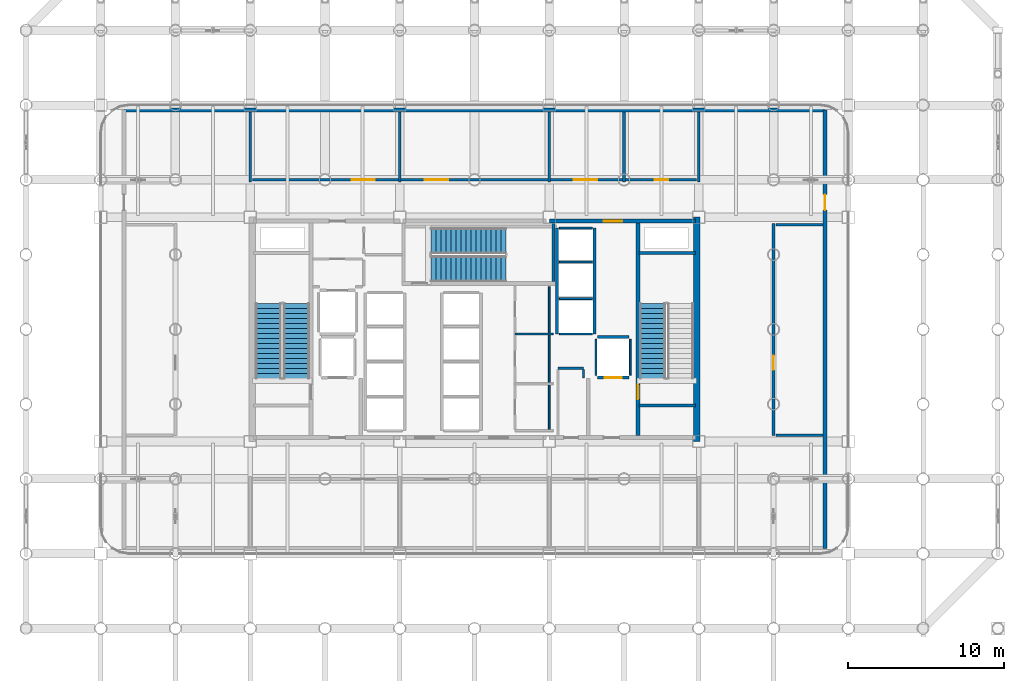
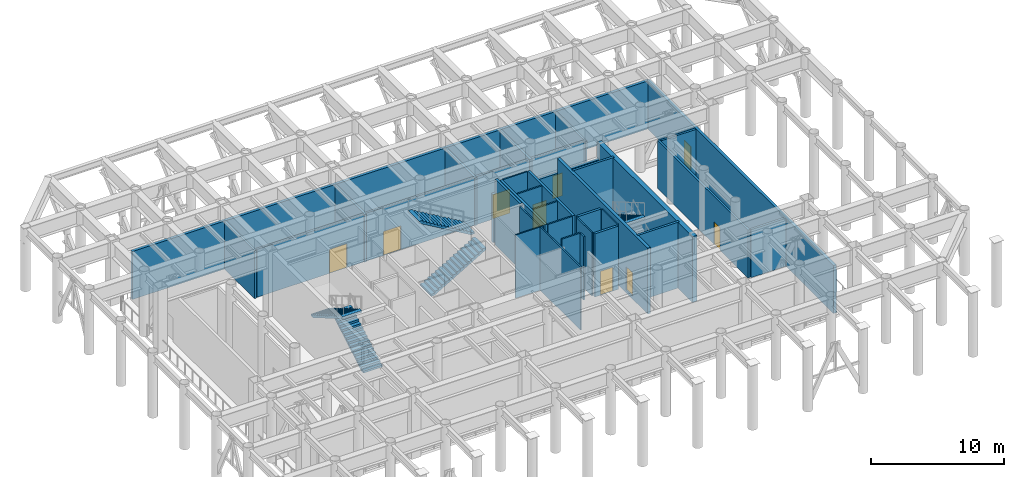
# One storey, part 14 of 19: 31 walls, 9 doors, 5 stair flights, 9 openings, 3 elements without a shape of their own.
"""IFC4 building model written with IfcOpenShell, lengths in metres."""

from ifc_helpers import new_model, si_unit, direction, frame, frame_2d, origin, place, context, subcontext, project, spatial, polyline, rectangle, outline, extrude, material, layer, layer_set, type_object, element, fill, aggregate, save


model = new_model("IFC4")

# Units and contexts
model_context = context("Model", 3, precision=1e-05, world=origin(), true_north=direction((0.0, 1.0)))
body_context = subcontext(model_context, "Body", "Model", "MODEL_VIEW")
ifc_project = project(units=[si_unit("LENGTHUNIT", "METRE"), si_unit("AREAUNIT", "SQUARE_METRE"), si_unit("VOLUMEUNIT", "CUBIC_METRE"), si_unit("PLANEANGLEUNIT", "RADIAN"), si_unit("MASSUNIT", "GRAM", prefix="KILO")], contexts=[model_context])

# Site, building, storey
site_placement = place(None, origin())
site = spatial("IfcSite", under=ifc_project, at=site_placement, CompositionType="ELEMENT")
building_placement = place(site_placement, origin())
building = spatial("IfcBuilding", under=site, at=building_placement, Name="Kallvorn Hotel Tower", CompositionType="ELEMENT")
storey_placement = place(building_placement, frame((0.0, 0.0, 89.199951171875)))
storey = spatial("IfcBuildingStorey", under=building, at=storey_placement, Name="L21", CompositionType="ELEMENT", Elevation=89.199951171875)

# Walls
ifc_material_1 = material(Name="Concrete C50/60", Category="concrete")
ifc_layer_1 = layer(ifc_material_1, 0.39990234375)
ifc_layer_set_1 = layer_set([ifc_layer_1], Name="WL_CORE_400")
wall_type_1 = type_object("IfcWallType", Name="WL_CORE_400", PredefinedType="SHEAR", material=ifc_layer_set_1)
wall_1_placement = place(storey_placement, frame((14.264892578125, -7.199951171875, -0.25), z_axis=(0.0, 0.0, 1.0), x_axis=(0.0, 1.0, 0.0)))
element("IfcWall", 1, at=wall_1_placement, inside=storey, type_object=wall_type_1, Name="L21 Core East Shear Wall", PredefinedType="SHEAR", context=body_context, shape_type="SweptSolid", body=[
    extrude(rectangle(XDim=14.39990234375, YDim=0.39990234375, at=frame_2d((7.199951171875, 0.0))), origin(), (0.0, 0.0, 1.0), 6.070068359375),
])
ifc_material_2 = material(Name="Fire-rated double-layer acoustic gypsum drywall EI 60")
ifc_layer_2 = layer(ifc_material_2, 0.179931640625)
ifc_layer_set_2 = layer_set([ifc_layer_2], Name="WL_CORR_180")
wall_type_2 = type_object("IfcWallType", Name="WL_CORR_180", PredefinedType="PARTITIONING", material=ifc_layer_set_2)
for number, where, z_axis, x_axis, name in (
    (2, (19.35009765625, -6.800048828125, 0.0), (0.0, 0.0, 1.0), (1.0, 0.0, 0.0), "L21 L21 Pressurised Fire Refuge Area East Partition"),
    (3, (19.35009765625, 6.716796875, 0.0), (0.0, 0.0, 1.0), (1.0, 0.0, 0.0), "L21 L21 Pressurised Fire Refuge Area East Partition"),
):
    element("IfcWall", number, at=place(storey_placement, frame(where, z_axis=z_axis, x_axis=x_axis)), inside=storey, type_object=wall_type_2, Name=name, PredefinedType="PARTITIONING", context=body_context, shape_type="SweptSolid", body=[
        extrude(rectangle(XDim=3.014892578125, YDim=0.179931640625, at=frame_2d((1.50732421875, 0.0))), origin(), (0.0, 0.0, 1.0), 4.420166015625),
    ])

# Wall, openings, doors
wall_2_placement = place(storey_placement, frame((-14.25, 9.60009765625, 0.0), z_axis=(0.0, 0.0, 1.0), x_axis=(1.0, 0.0, 0.0)))
wall_2 = element("IfcWall", 4, at=wall_2_placement, inside=storey, type_object=wall_type_2, Name="L21 L21 Domestic and Fire Break-Tank Pump Room Partition", PredefinedType="PARTITIONING", context=body_context, shape_type="SweptSolid", body=[
    extrude(rectangle(XDim=28.5, YDim=0.179931640625, at=frame_2d((14.25, 0.0))), origin(), (0.0, 0.0, 1.0), 4.420166015625),
])
opening_1_placement = place(wall_2_placement, frame((6.35400390625, 0.0, 0.0)))
opening_1 = element("IfcOpeningElement", 5, at=opening_1_placement, cuts=wall_2, Name="Opening PD1", PredefinedType="OPENING", context=body_context, shape_type="SweptSolid", body=[
    extrude(rectangle(XDim=1.5, YDim=2.199951171875, at=frame_2d((0.75, 1.10009765625))), frame((0.0, 0.104736328125, 0.0), z_axis=(0.0, -1.0, 0.0), x_axis=(1.0, 0.0, 0.0)), (0.0, 0.0, 1.0), 0.2099609375),
])
opening_2_placement = place(wall_2_placement, frame((11.056396484375, 0.0, 0.0)))
opening_2 = element("IfcOpeningElement", 6, at=opening_2_placement, cuts=wall_2, Name="Opening PD1", PredefinedType="OPENING", context=body_context, shape_type="SweptSolid", body=[
    extrude(rectangle(XDim=1.5, YDim=2.199951171875, at=frame_2d((0.75, 1.10009765625))), frame((0.0, 0.104736328125, 0.0), z_axis=(0.0, -1.0, 0.0), x_axis=(1.0, 0.0, 0.0)), (0.0, 0.0, 1.0), 0.2099609375),
])
opening_3_placement = place(wall_2_placement, frame((20.6181640625, 0.0, 0.0)))
opening_3 = element("IfcOpeningElement", 7, at=opening_3_placement, cuts=wall_2, Name="Opening PD1", PredefinedType="OPENING", context=body_context, shape_type="SweptSolid", body=[
    extrude(rectangle(XDim=1.5, YDim=2.199951171875, at=frame_2d((0.75, 1.10009765625))), frame((0.0, 0.104736328125, 0.0), z_axis=(0.0, -1.0, 0.0), x_axis=(1.0, 0.0, 0.0)), (0.0, 0.0, 1.0), 0.2099609375),
])
opening_4_placement = place(wall_2_placement, frame((25.820068359375, 0.0, 0.0)))
opening_4 = element("IfcOpeningElement", 8, at=opening_4_placement, cuts=wall_2, Name="Opening BD-I", PredefinedType="OPENING", context=body_context, shape_type="SweptSolid", body=[
    extrude(rectangle(XDim=0.860107421875, YDim=2.10009765625, at=frame_2d((0.43017578125, 1.050048828125))), frame((0.0, 0.104736328125, 0.0), z_axis=(0.0, -1.0, 0.0), x_axis=(1.0, 0.0, 0.0)), (0.0, 0.0, 1.0), 0.2099609375),
])
ifc_material_3 = material(Name="Solid-core walnut veneer fire-rated timber door leaf", Category="wood")
door_type_1 = type_object("IfcDoorType", Name="DR_BATH_860x2100", OperationType="NOTDEFINED", PredefinedType="DOOR", material=ifc_material_3)
door_1_placement = place(opening_4_placement, origin())
door_1 = element("IfcDoor", 9, at=door_1_placement, inside=storey, type_object=door_type_1, Name="L21 L21 Refuge Accessible WC Door", OperationType="SINGLE_SWING_RIGHT", OverallHeight=2.10009765625, OverallWidth=0.860107421875, PredefinedType="DOOR", context=body_context, shape_type="SweptSolid", body=[
    extrude(rectangle(XDim=0.860107421875, YDim=2.10009765625, at=frame_2d((0.43017578125, 1.050048828125))), frame((0.0, 0.02490234375, 0.0), z_axis=(0.0, -1.0, 0.0), x_axis=(1.0, 0.0, 0.0)), (0.0, 0.0, 1.0), 0.050048828125),
])
fill(opening_4, door_1)
ifc_material_4 = material(Name="Galvanised painted steel fire-rated door assembly", Category="steel")
door_type_2 = type_object("IfcDoorType", Name="DR_PLANT_1500x2200", OperationType="DOUBLE_DOOR_SINGLE_SWING", PredefinedType="DOOR", material=ifc_material_4)
door_2_placement = place(opening_1_placement, origin())
door_2 = element("IfcDoor", 10, at=door_2_placement, inside=storey, type_object=door_type_2, Name="L21 L21 Domestic and Fire Break-Tank Pump Room Door", OperationType="DOUBLE_DOOR_SINGLE_SWING", OverallHeight=2.199951171875, OverallWidth=1.5, PredefinedType="DOOR", context=body_context, shape_type="SweptSolid", body=[
    extrude(rectangle(XDim=1.5, YDim=2.199951171875, at=frame_2d((0.75, 1.10009765625))), frame((0.0, 0.02490234375, 0.0), z_axis=(0.0, -1.0, 0.0), x_axis=(1.0, 0.0, 0.0)), (0.0, 0.0, 1.0), 0.050048828125),
])
fill(opening_1, door_2)
door_3_placement = place(opening_2_placement, origin())
door_3 = element("IfcDoor", 11, at=door_3_placement, inside=storey, type_object=door_type_2, Name="L21 L21 Venturi Turbine Inverter and Switchgear Room Door", OperationType="DOUBLE_DOOR_SINGLE_SWING", OverallHeight=2.199951171875, OverallWidth=1.5, PredefinedType="DOOR", context=body_context, shape_type="SweptSolid", body=[
    extrude(rectangle(XDim=1.5, YDim=2.199951171875, at=frame_2d((0.75, 1.10009765625))), frame((0.0, 0.02490234375, 0.0), z_axis=(0.0, -1.0, 0.0), x_axis=(1.0, 0.0, 0.0)), (0.0, 0.0, 1.0), 0.050048828125),
])
fill(opening_2, door_3)
door_4_placement = place(opening_3_placement, origin())
door_4 = element("IfcDoor", 12, at=door_4_placement, inside=storey, type_object=door_type_2, Name="L21 L21 Smoke Control and BMS Plant Room Door", OperationType="DOUBLE_DOOR_SINGLE_SWING", OverallHeight=2.199951171875, OverallWidth=1.5, PredefinedType="DOOR", context=body_context, shape_type="SweptSolid", body=[
    extrude(rectangle(XDim=1.5, YDim=2.199951171875, at=frame_2d((0.75, 1.10009765625))), frame((0.0, 0.02490234375, 0.0), z_axis=(0.0, -1.0, 0.0), x_axis=(1.0, 0.0, 0.0)), (0.0, 0.0, 1.0), 0.050048828125),
])
fill(opening_3, door_4)

# Walls
for number, where, z_axis, x_axis, name in (
    (13, (-14.39990234375, 9.449951171875, 0.0), (0.0, 0.0, 1.0), (0.0, 1.0, 0.0), "L21 L21 Domestic and Fire Break-Tank Pump Room Partition"),
    (14, (-4.800048828125, 9.449951171875, 0.0), (0.0, 0.0, 1.0), (0.0, 1.0, 0.0), "L21 L21 Domestic and Fire Break-Tank Pump Room Partition"),
    (15, (4.800048828125, 9.449951171875, 0.0), (0.0, 0.0, 1.0), (0.0, 1.0, 0.0), "L21 L21 Smoke Control and BMS Plant Room Partition"),
    (16, (9.60009765625, 9.449951171875, 0.0), (0.0, 0.0, 1.0), (0.0, 1.0, 0.0), "L21 L21 Smoke Control and BMS Plant Room Partition"),
):
    element("IfcWall", number, at=place(storey_placement, frame(where, z_axis=z_axis, x_axis=x_axis)), inside=storey, type_object=wall_type_2, Name=name, PredefinedType="PARTITIONING", context=body_context, shape_type="SweptSolid", body=[
        extrude(rectangle(XDim=4.4951171875, YDim=0.179931640625, at=frame_2d((2.24755859375, 0.0))), origin(), (0.0, 0.0, 1.0), 4.420166015625),
    ])

# Wall, opening, door
wall_3_placement = place(storey_placement, frame((19.199951171875, -6.800048828125, 0.0), z_axis=(0.0, 0.0, 1.0), x_axis=(0.0, 1.0, 0.0)))
wall_3 = element("IfcWall", 17, at=wall_3_placement, inside=storey, type_object=wall_type_2, Name="L21 L21 Pressurised Fire Refuge Area East Partition", PredefinedType="PARTITIONING", context=body_context, shape_type="SweptSolid", body=[
    extrude(rectangle(XDim=13.60009765625, YDim=0.179931640625, at=frame_2d((6.800048828125, 0.0))), origin(), (0.0, 0.0, 1.0), 4.420166015625),
])
opening_5_placement = place(wall_3_placement, frame((4.20703125, 0.0, 0.0)))
opening_5 = element("IfcOpeningElement", 18, at=opening_5_placement, cuts=wall_3, Name="Opening SVD1", PredefinedType="OPENING", context=body_context, shape_type="SweptSolid", body=[
    extrude(rectangle(XDim=0.89990234375, YDim=2.10009765625, at=frame_2d((0.449951171875, 1.050048828125))), frame((0.0, 0.104736328125, 0.0), z_axis=(0.0, -1.0, 0.0), x_axis=(1.0, 0.0, 0.0)), (0.0, 0.0, 1.0), 0.2099609375),
])
ifc_material_5 = material(Name="Galvanised painted steel fire-rated door assembly", Category="steel")
door_type_3 = type_object("IfcDoorType", Name="DR_SERV_900x2100", OperationType="NOTDEFINED", PredefinedType="DOOR", material=ifc_material_5)
door_5_placement = place(opening_5_placement, origin())
door_5 = element("IfcDoor", 19, at=door_5_placement, inside=storey, type_object=door_type_3, Name="L21 L21 Pressurised Fire Refuge Area East Door", OperationType="SINGLE_SWING_RIGHT", OverallHeight=2.10009765625, OverallWidth=0.89990234375, PredefinedType="DOOR", context=body_context, shape_type="SweptSolid", body=[
    extrude(rectangle(XDim=0.89990234375, YDim=2.10009765625, at=frame_2d((0.449951171875, 1.050048828125))), frame((0.0, 0.02490234375, 0.0), z_axis=(0.0, -1.0, 0.0), x_axis=(1.0, 0.0, 0.0)), (0.0, 0.0, 1.0), 0.050048828125),
])
fill(opening_5, door_5)

# Wall
ifc_material_6 = material(Name="Precast basalt-clad insulated concrete wall C40/50", Category="masonry")
ifc_layer_3 = layer(ifc_material_6, 0.25)
ifc_layer_set_3 = layer_set([ifc_layer_3], Name="WL_EXT_HUB_250")
wall_type_3 = type_object("IfcWallType", Name="WL_EXT_HUB_250", PredefinedType="SOLIDWALL", material=ifc_layer_set_3)
wall_4_placement = place(storey_placement, frame((-22.5, 14.080078125, 0.0), z_axis=(0.0, 0.0, 1.0), x_axis=(1.0, 0.0, 0.0)))
element("IfcWall", 20, at=wall_4_placement, inside=storey, type_object=wall_type_3, Name="L21 Wind-Hub Acoustic Enclosure Wall N", PredefinedType="SOLIDWALL", context=body_context, shape_type="SweptSolid", body=[
    extrude(rectangle(XDim=45.0, YDim=0.25, at=frame_2d((22.5, 0.0))), origin(), (0.0, 0.0, 1.0), 4.420166015625),
])

# Wall, opening, door
wall_5_placement = place(storey_placement, frame((22.5, 14.080078125, 0.0), z_axis=(0.0, 0.0, 1.0), x_axis=(0.0, -1.0, 0.0)))
wall_5 = element("IfcWall", 21, at=wall_5_placement, inside=storey, type_object=wall_type_3, Name="L21 Wind-Hub Acoustic Enclosure Wall E", PredefinedType="SOLIDWALL", context=body_context, shape_type="SweptSolid", body=[
    extrude(rectangle(XDim=28.16015625, YDim=0.25, at=frame_2d((14.080078125, 0.0))), origin(), (0.0, 0.0, 1.0), 4.420166015625),
])
opening_6_placement = place(wall_5_placement, frame((5.429931640625, 0.0, 0.0)))
opening_6 = element("IfcOpeningElement", 22, at=opening_6_placement, cuts=wall_5, Name="Opening WDX1", PredefinedType="OPENING", context=body_context, shape_type="SweptSolid", body=[
    extrude(rectangle(XDim=1.0, YDim=2.14990234375, at=frame_2d((0.5, 1.074951171875))), frame((0.0, 0.139892578125, 0.0), z_axis=(0.0, -1.0, 0.0), x_axis=(1.0, 0.0, 0.0)), (0.0, 0.0, 1.0), 0.280029296875),
])
ifc_material_7 = material(Name="Galvanised painted steel S275JR balustrade", Category="steel")
door_type_4 = type_object("IfcDoorType", Name="DR_WIND_EXT_1000x2150", OperationType="NOTDEFINED", PredefinedType="DOOR", material=ifc_material_7)
door_6_placement = place(opening_6_placement, origin())
door_6 = element("IfcDoor", 23, at=door_6_placement, inside=storey, type_object=door_type_4, Name="L21 Turbine Deck Maintenance Access Door E", OperationType="SINGLE_SWING_LEFT", OverallHeight=2.14990234375, OverallWidth=1.0, PredefinedType="DOOR", context=body_context, shape_type="SweptSolid", body=[
    extrude(rectangle(XDim=1.0, YDim=2.14990234375, at=frame_2d((0.5, 1.074951171875))), frame((0.0, 0.02490234375, 0.0), z_axis=(0.0, -1.0, 0.0), x_axis=(1.0, 0.0, 0.0)), (0.0, 0.0, 1.0), 0.050048828125),
])
fill(opening_6, door_6)

# Walls
ifc_material_8 = material(Name="Concrete C40/50", Category="concrete")
ifc_layer_4 = layer(ifc_material_8, 0.199951171875)
ifc_layer_set_4 = layer_set([ifc_layer_4], Name="WL_HOIST_200")
wall_type_4 = type_object("IfcWallType", Name="WL_HOIST_200", PredefinedType="SOLIDWALL", material=ifc_layer_set_4)
for number, where, z_axis, x_axis, name in (
    (24, (10.550048828125, -4.89990234375, -0.25), (0.0, 0.0, 1.0), (1.0, 0.0, 0.0), "L21 Stair ST2 South Wall"),
    (25, (10.550048828125, 4.89990234375, -0.25), (0.0, 0.0, 1.0), (1.0, 0.0, 0.0), "L21 Stair ST2 North Wall"),
):
    element("IfcWall", number, at=place(storey_placement, frame(where, z_axis=z_axis, x_axis=x_axis)), inside=storey, type_object=wall_type_4, Name=name, PredefinedType="SOLIDWALL", context=body_context, shape_type="SweptSolid", body=[
        extrude(rectangle(XDim=3.64990234375, YDim=0.199951171875, at=frame_2d((1.824951171875, 0.0))), origin(), (0.0, 0.0, 1.0), 6.070068359375),
    ])
wall_6_placement = place(storey_placement, frame((5.06005859375, 3.080078125, -0.25), z_axis=(0.0, 0.0, 1.0), x_axis=(0.0, 1.0, 0.0)))
element("IfcWall", 26, at=wall_6_placement, inside=storey, type_object=wall_type_4, Name="L21 Stair ST3 East Wall", PredefinedType="SOLIDWALL", context=body_context, shape_type="SweptSolid", body=[
    extrude(rectangle(XDim=3.739990234375, YDim=0.199951171875, at=frame_2d((1.8701171875, 0.0))), origin(), (0.0, 0.0, 1.0), 6.070068359375),
])
for number, where, z_axis, x_axis, name in (
    (27, (7.699951171875, -0.300048828125, 0.0), (0.0, 0.0, 1.0), (0.0, 1.0, 0.0), "L21 Lift Bank OBS Landing Wall"),
    (28, (5.300048828125, -0.300048828125, 0.0), (0.0, 0.0, 1.0), (0.0, 1.0, 0.0), "L21 Lift Bank OBS Rear Shaft Wall"),
):
    element("IfcWall", number, at=place(storey_placement, frame(where, z_axis=z_axis, x_axis=x_axis)), inside=storey, type_object=wall_type_4, Name=name, PredefinedType="SOLIDWALL", context=body_context, shape_type="SweptSolid", body=[
        extrude(rectangle(XDim=6.800048828125, YDim=0.199951171875, at=frame_2d((3.39990234375, 0.0))), origin(), (0.0, 0.0, 1.0), 5.820068359375),
    ])

# Wall, opening, door
wall_7_placement = place(storey_placement, frame((7.8798828125, -3.10009765625, 0.0), z_axis=(0.0, 0.0, 1.0), x_axis=(1.0, 0.0, 0.0)))
wall_7 = element("IfcWall", 29, at=wall_7_placement, inside=storey, type_object=wall_type_4, Name="L21 FL-2 Landing Wall", PredefinedType="SOLIDWALL", context=body_context, shape_type="SweptSolid", body=[
    extrude(rectangle(XDim=2.0400390625, YDim=0.199951171875, at=frame_2d((1.02001953125, 0.0))), origin(), (0.0, 0.0, 1.0), 5.820068359375),
])
opening_7_placement = place(wall_7_placement, frame((0.469970703125, 0.0, 0.0)))
opening_7 = element("IfcOpeningElement", 30, at=opening_7_placement, cuts=wall_7, Name="Opening LD-FL-2", PredefinedType="OPENING", context=body_context, shape_type="SweptSolid", body=[
    extrude(rectangle(XDim=1.10009765625, YDim=2.199951171875, at=frame_2d((0.550048828125, 1.10009765625))), frame((0.0, 0.114990234375, 0.0), z_axis=(0.0, -1.0, 0.0), x_axis=(1.0, 0.0, 0.0)), (0.0, 0.0, 1.0), 0.22998046875),
])
ifc_material_9 = material(Name="Brushed stainless-steel automatic sliding lift landing door", Category="steel")
door_type_5 = type_object("IfcDoorType", Name="LD_PASS_1100x2200", OperationType="SLIDING_TO_LEFT", PredefinedType="DOOR", material=ifc_material_9)
door_7_placement = place(opening_7_placement, origin())
door_7 = element("IfcDoor", 31, at=door_7_placement, inside=storey, type_object=door_type_5, Name="L21 Lift Landing Sliding Door LD-FL-2", OperationType="SLIDING_TO_LEFT", OverallHeight=2.199951171875, OverallWidth=1.10009765625, PredefinedType="DOOR", context=body_context, shape_type="SweptSolid", body=[
    extrude(rectangle(XDim=1.10009765625, YDim=2.199951171875, at=frame_2d((0.550048828125, 1.10009765625))), frame((0.0, 0.02490234375, 0.0), z_axis=(0.0, -1.0, 0.0), x_axis=(1.0, 0.0, 0.0)), (0.0, 0.0, 1.0), 0.050048828125),
])
fill(opening_7, door_7)

# Walls
wall_8_placement = place(storey_placement, frame((7.8798828125, -0.5, 0.0), z_axis=(0.0, 0.0, 1.0), x_axis=(1.0, 0.0, 0.0)))
element("IfcWall", 32, at=wall_8_placement, inside=storey, type_object=wall_type_4, Name="L21 FL-2 Rear Shaft Wall", PredefinedType="SOLIDWALL", context=body_context, shape_type="SweptSolid", body=[
    extrude(rectangle(XDim=2.0400390625, YDim=0.199951171875, at=frame_2d((1.02001953125, 0.0))), origin(), (0.0, 0.0, 1.0), 5.820068359375),
])
ifc_material_10 = material(Name="Fire-rated double-layer acoustic gypsum drywall EI 60")
ifc_layer_5 = layer(ifc_material_10, 0.1201171875)
ifc_layer_set_5 = layer_set([ifc_layer_5], Name="WL_INT_120")
wall_type_5 = type_object("IfcWallType", Name="WL_INT_120", PredefinedType="PARTITIONING", material=ifc_layer_set_5)
for number, where, z_axis, x_axis, name in (
    (33, (5.43994140625, -0.300048828125, 0.0), (0.0, 0.0, 1.0), (1.0, 0.0, 0.0), "L21 Lift Bank OBS South Closure Wall"),
    (34, (5.43994140625, 1.97509765625, 0.0), (0.0, 0.0, 1.0), (1.0, 0.0, 0.0), "L21 OB-01 Hoistway Divider"),
    (35, (5.43994140625, 4.324951171875, 0.0), (0.0, 0.0, 1.0), (1.0, 0.0, 0.0), "L21 OB-02 Hoistway Divider"),
    (36, (5.43994140625, 6.5, 0.0), (0.0, 0.0, 1.0), (1.0, 0.0, 0.0), "L21 OB-03 Hoistway Divider"),
):
    element("IfcWall", number, at=place(storey_placement, frame(where, z_axis=z_axis, x_axis=x_axis)), inside=storey, type_object=wall_type_5, Name=name, PredefinedType="PARTITIONING", context=body_context, shape_type="SweptSolid", body=[
        extrude(rectangle(XDim=2.1201171875, YDim=0.1201171875, at=frame_2d((1.06005859375, 0.0))), origin(), (0.0, 0.0, 1.0), 5.820068359375),
    ])
for number, where, z_axis, x_axis, name in (
    (37, (7.800048828125, -2.9599609375, 0.0), (0.0, 0.0, 1.0), (0.0, 1.0, 0.0), "L21 FL-2 West Shaft Wall"),
    (38, (10.0, -2.9599609375, 0.0), (0.0, 0.0, 1.0), (0.0, 1.0, 0.0), "L21 FL-2 East Shaft Wall"),
):
    element("IfcWall", number, at=place(storey_placement, frame(where, z_axis=z_axis, x_axis=x_axis)), inside=storey, type_object=wall_type_5, Name=name, PredefinedType="PARTITIONING", context=body_context, shape_type="SweptSolid", body=[
        extrude(rectangle(XDim=2.320068359375, YDim=0.1201171875, at=frame_2d((1.16015625, 0.0))), origin(), (0.0, 0.0, 1.0), 5.820068359375),
    ])
wall_9_placement = place(storey_placement, frame((2.60009765625, -0.300048828125, 0.0), z_axis=(0.0, 0.0, 1.0), x_axis=(1.0, 0.0, 0.0)))
element("IfcWall", 39, at=wall_9_placement, inside=storey, type_object=wall_type_5, Name="L21 East Core Cleaners Room Partition", PredefinedType="PARTITIONING", context=body_context, shape_type="SweptSolid", body=[
    extrude(rectangle(XDim=2.449951171875, YDim=0.1201171875, at=frame_2d((1.22509765625, 0.0))), origin(), (0.0, 0.0, 1.0), 5.820068359375),
])
wall_10_placement = place(storey_placement, frame((4.800048828125, -6.4150390625, 0.0), z_axis=(0.0, 0.0, 1.0), x_axis=(0.0, 1.0, 0.0)))
element("IfcWall", 40, at=wall_10_placement, inside=storey, type_object=wall_type_5, Name="L21 East Core Minibar Store Partition", PredefinedType="PARTITIONING", context=body_context, shape_type="SweptSolid", body=[
    extrude(rectangle(XDim=9.1650390625, YDim=0.1201171875, at=frame_2d((4.58251953125, 0.0))), origin(), (0.0, 0.0, 1.0), 5.820068359375),
])
ifc_material_11 = material(Name="Moisture-resistant acoustic plumbing chase wall EI 60")
ifc_layer_6 = layer(ifc_material_11, 0.139892578125)
ifc_layer_set_6 = layer_set([ifc_layer_6], Name="WL_PLUMB_140")
wall_type_6 = type_object("IfcWallType", Name="WL_PLUMB_140", PredefinedType="PLUMBINGWALL", material=ifc_layer_set_6)
wall_11_placement = place(storey_placement, frame((5.35009765625, -2.5, 0.0), z_axis=(0.0, 0.0, 1.0), x_axis=(1.0, 0.0, 0.0)))
element("IfcWall", 41, at=wall_11_placement, inside=storey, type_object=wall_type_6, Name="L21 Core Accessible Staff WC Partition", PredefinedType="PLUMBINGWALL", context=body_context, shape_type="SweptSolid", body=[
    extrude(rectangle(XDim=1.64990234375, YDim=0.139892578125, at=frame_2d((0.824951171875, 0.0))), origin(), (0.0, 0.0, 1.0), 5.820068359375),
])
wall_12_placement = place(storey_placement, frame((7.0, -3.110107421875, 0.0), z_axis=(0.0, 0.0, 1.0), x_axis=(0.0, 1.0, 0.0)))
element("IfcWall", 42, at=wall_12_placement, inside=storey, type_object=wall_type_6, Name="L21 Core Accessible Staff WC Partition", PredefinedType="PLUMBINGWALL", context=body_context, shape_type="SweptSolid", body=[
    extrude(rectangle(XDim=0.525146484375, YDim=0.139892578125, at=frame_2d((0.2626953125, 0.0))), origin(), (0.0, 0.0, 1.0), 5.820068359375),
])
wall_13_placement = place(storey_placement, frame((14.39990234375, 9.449951171875, 0.0), z_axis=(0.0, 0.0, 1.0), x_axis=(0.0, 1.0, 0.0)))
element("IfcWall", 43, at=wall_13_placement, inside=storey, type_object=wall_type_6, Name="L21 L21 Refuge Accessible WC Partition", PredefinedType="PLUMBINGWALL", context=body_context, shape_type="SweptSolid", body=[
    extrude(rectangle(XDim=4.4951171875, YDim=0.139892578125, at=frame_2d((2.24755859375, 0.0))), origin(), (0.0, 0.0, 1.0), 4.420166015625),
])

# Wall, opening, door
ifc_material_12 = material(Name="Concrete C40/50", Category="concrete")
ifc_layer_7 = layer(ifc_material_12, 0.25)
ifc_layer_set_7 = layer_set([ifc_layer_7], Name="WL_SHAFT_250")
wall_type_7 = type_object("IfcWallType", Name="WL_SHAFT_250", PredefinedType="SOLIDWALL", material=ifc_layer_set_7)
wall_14_placement = place(storey_placement, frame((4.800048828125, 6.949951171875, 0.0), z_axis=(0.0, 0.0, 1.0), x_axis=(1.0, 0.0, 0.0)))
wall_14 = element("IfcWall", 44, at=wall_14_placement, inside=storey, type_object=wall_type_7, Name="L21 Core North-East Wall", PredefinedType="SOLIDWALL", context=body_context, shape_type="SweptSolid", body=[
    extrude(rectangle(XDim=9.39990234375, YDim=0.25, at=frame_2d((4.699951171875, 0.0))), origin(), (0.0, 0.0, 1.0), 4.420166015625),
])
opening_8_placement = place(wall_14_placement, frame((3.5, 0.0, 0.0)))
opening_8 = element("IfcOpeningElement", 45, at=opening_8_placement, cuts=wall_14, Name="Opening FD2", PredefinedType="OPENING", context=body_context, shape_type="SweptSolid", body=[
    extrude(rectangle(XDim=1.199951171875, YDim=2.199951171875, at=frame_2d((0.60009765625, 1.10009765625))), frame((0.0, 0.139892578125, 0.0), z_axis=(0.0, -1.0, 0.0), x_axis=(1.0, 0.0, 0.0)), (0.0, 0.0, 1.0), 0.280029296875),
])
ifc_material_13 = material(Name="Galvanised painted steel fire-rated door assembly", Category="steel")
door_type_6 = type_object("IfcDoorType", Name="DR_LOBBY_1200x2200", OperationType="DOUBLE_DOOR_SINGLE_SWING", PredefinedType="DOOR", material=ifc_material_13)
door_8_placement = place(opening_8_placement, origin())
door_8 = element("IfcDoor", 46, at=door_8_placement, inside=storey, type_object=door_type_6, Name="L21 Observatory Shuttle Lobby Door", OperationType="DOUBLE_DOOR_SINGLE_SWING", OverallHeight=2.199951171875, OverallWidth=1.199951171875, PredefinedType="DOOR", context=body_context, shape_type="SweptSolid", body=[
    extrude(rectangle(XDim=1.199951171875, YDim=2.199951171875, at=frame_2d((0.60009765625, 1.10009765625))), frame((0.0, 0.02490234375, 0.0), z_axis=(0.0, -1.0, 0.0), x_axis=(1.0, 0.0, 0.0)), (0.0, 0.0, 1.0), 0.050048828125),
])
fill(opening_8, door_8)

wall_15_placement = place(storey_placement, frame((10.5, -6.820068359375, -0.25), z_axis=(0.0, 0.0, 1.0), x_axis=(0.0, 1.0, 0.0)))
wall_15 = element("IfcWall", 47, at=wall_15_placement, inside=storey, type_object=wall_type_7, Name="L21 Stair ST2 Shaft Wall", PredefinedType="SOLIDWALL", context=body_context, shape_type="SweptSolid", body=[
    extrude(rectangle(XDim=13.64013671875, YDim=0.25, at=frame_2d((6.820068359375, 0.0))), origin(), (0.0, 0.0, 1.0), 6.070068359375),
])
opening_9_placement = place(wall_15_placement, frame((2.320068359375, 0.0, 0.25)))
opening_9 = element("IfcOpeningElement", 48, at=opening_9_placement, cuts=wall_15, Name="Opening SD1", PredefinedType="OPENING", context=body_context, shape_type="SweptSolid", body=[
    extrude(rectangle(XDim=0.949951171875, YDim=2.14990234375, at=frame_2d((0.47509765625, 1.074951171875))), frame((0.0, 0.139892578125, 0.0), z_axis=(0.0, -1.0, 0.0), x_axis=(1.0, 0.0, 0.0)), (0.0, 0.0, 1.0), 0.280029296875),
])
ifc_material_14 = material(Name="Galvanised painted steel fire-rated door assembly", Category="steel")
door_type_7 = type_object("IfcDoorType", Name="DR_STAIR_950x2150", OperationType="NOTDEFINED", PredefinedType="DOOR", material=ifc_material_14)
door_9_placement = place(opening_9_placement, origin())
door_9 = element("IfcDoor", 49, at=door_9_placement, inside=storey, type_object=door_type_7, Name="L21 Exit Stair ST2 Fire Door", OperationType="SINGLE_SWING_LEFT", OverallHeight=2.14990234375, OverallWidth=0.949951171875, PredefinedType="DOOR", context=body_context, shape_type="SweptSolid", body=[
    extrude(rectangle(XDim=0.949951171875, YDim=2.14990234375, at=frame_2d((0.47509765625, 1.074951171875))), frame((0.0, 0.02490234375, 0.0), z_axis=(0.0, -1.0, 0.0), x_axis=(1.0, 0.0, 0.0)), (0.0, 0.0, 1.0), 0.050048828125),
])
fill(opening_9, door_9)

# Stair, stair flights
ifc_material_15 = material(Name="Precast concrete C40/50", Category="concrete")
stair_type = type_object("IfcStairType", Name="STR_CORE_DOGLEG", PredefinedType="HALF_TURN_STAIR", material=ifc_material_15)
stair_1_placement = place(storey_placement, origin())
stair_1 = element("IfcStair", 50, at=stair_1_placement, inside=storey, type_object=stair_type, Name="L21 Exit stair ST1", PredefinedType="HALF_TURN_STAIR")
ifc_material_16 = material(Name="Precast concrete C40/50", Category="concrete")
stair_flight_type = type_object("IfcStairFlightType", Name="FLT_CORE_1660", PredefinedType="STRAIGHT", material=ifc_material_16)
stair_flight_1_placement = place(storey_placement, frame((-11.429931640625, -3.139892578125, 0.0), z_axis=(0.0, 0.0, 1.0), x_axis=(0.0, 1.0, 0.0)))
stair_flight_1 = element("IfcStairFlight", 51, at=stair_flight_1_placement, type_object=stair_flight_type, Name="ST1 flight 1", NumberOfRisers=16, NumberOfTreads=15, PredefinedType="STRAIGHT", RiserHeight=0.1875, TreadLength=0.32, context=body_context, shape_type="SweptSolid", body=[
    extrude(outline(polyline([(0.0, 0.0), (0.0, 0.1875), (0.320068359375, 0.1875), (0.320068359375, 0.375), (0.639892578125, 0.375), (0.639892578125, 0.5625), (0.9599609375, 0.5625), (0.9599609375, 0.75), (1.280029296875, 0.75), (1.280029296875, 0.9375), (1.60009765625, 0.9375), (1.60009765625, 1.125), (1.919921875, 1.125), (1.919921875, 1.3125), (2.239990234375, 1.3125), (2.239990234375, 1.5), (2.56005859375, 1.5), (2.56005859375, 1.6875), (2.8798828125, 1.6875), (2.8798828125, 1.875), (3.199951171875, 1.875), (3.199951171875, 2.0625), (3.52001953125, 2.0625), (3.52001953125, 2.25), (3.840087890625, 2.25), (3.840087890625, 2.4375), (4.159912109375, 2.4375), (4.159912109375, 2.625), (4.47998046875, 2.625), (4.47998046875, 2.8125), (4.800048828125, 2.8125), (4.800048828125, 3.0), (4.800048828125, 2.638671875), (0.296630859375, 0.0), (0.0, 0.0)])), frame((0.0, 0.830078125, 0.0), z_axis=(0.0, -1.0, 0.0), x_axis=(1.0, 0.0, 0.0)), (0.0, 0.0, 1.0), 1.659912109375),
])
stair_flight_2_placement = place(storey_placement, frame((-13.22998046875, 1.659912109375, 3.0), z_axis=(0.0, 0.0, 1.0), x_axis=(0.0, -1.0, 0.0)))
stair_flight_2 = element("IfcStairFlight", 52, at=stair_flight_2_placement, type_object=stair_flight_type, Name="ST1 flight 2", NumberOfRisers=16, NumberOfTreads=15, PredefinedType="STRAIGHT", RiserHeight=0.1875, TreadLength=0.32, context=body_context, shape_type="SweptSolid", body=[
    extrude(outline(polyline([(0.0, 0.0), (0.0, 0.1875), (0.320068359375, 0.1875), (0.320068359375, 0.375), (0.639892578125, 0.375), (0.639892578125, 0.5625), (0.9599609375, 0.5625), (0.9599609375, 0.75), (1.280029296875, 0.75), (1.280029296875, 0.9375), (1.60009765625, 0.9375), (1.60009765625, 1.125), (1.919921875, 1.125), (1.919921875, 1.3125), (2.239990234375, 1.3125), (2.239990234375, 1.5), (2.56005859375, 1.5), (2.56005859375, 1.6875), (2.8798828125, 1.6875), (2.8798828125, 1.875), (3.199951171875, 1.875), (3.199951171875, 2.0625), (3.52001953125, 2.0625), (3.52001953125, 2.25), (3.840087890625, 2.25), (3.840087890625, 2.4375), (4.159912109375, 2.4375), (4.159912109375, 2.625), (4.47998046875, 2.625), (4.47998046875, 2.8125), (4.800048828125, 2.8125), (4.800048828125, 3.0), (4.800048828125, 2.638671875), (0.296630859375, 0.0), (0.0, 0.0)])), frame((0.0, 0.830078125, 0.0), z_axis=(0.0, -1.0, 0.0), x_axis=(1.0, 0.0, 0.0)), (0.0, 0.0, 1.0), 1.659912109375),
])
aggregate(stair_1, [stair_flight_1, stair_flight_2])

# Stair, stair flight
stair_2_placement = place(storey_placement, origin())
stair_2 = element("IfcStair", 53, at=stair_2_placement, inside=storey, type_object=stair_type, Name="L21 Exit stair ST2", PredefinedType="HALF_TURN_STAIR")
stair_flight_3_placement = place(storey_placement, frame((11.429931640625, 1.659912109375, 3.0), z_axis=(0.0, 0.0, 1.0), x_axis=(0.0, -1.0, 0.0)))
stair_flight_3 = element("IfcStairFlight", 54, at=stair_flight_3_placement, type_object=stair_flight_type, Name="ST2 flight 2", NumberOfRisers=16, NumberOfTreads=15, PredefinedType="STRAIGHT", RiserHeight=0.1875, TreadLength=0.32, context=body_context, shape_type="SweptSolid", body=[
    extrude(outline(polyline([(0.0, 0.0), (0.0, 0.1875), (0.320068359375, 0.1875), (0.320068359375, 0.375), (0.639892578125, 0.375), (0.639892578125, 0.5625), (0.9599609375, 0.5625), (0.9599609375, 0.75), (1.280029296875, 0.75), (1.280029296875, 0.9375), (1.60009765625, 0.9375), (1.60009765625, 1.125), (1.919921875, 1.125), (1.919921875, 1.3125), (2.239990234375, 1.3125), (2.239990234375, 1.5), (2.56005859375, 1.5), (2.56005859375, 1.6875), (2.8798828125, 1.6875), (2.8798828125, 1.875), (3.199951171875, 1.875), (3.199951171875, 2.0625), (3.52001953125, 2.0625), (3.52001953125, 2.25), (3.840087890625, 2.25), (3.840087890625, 2.4375), (4.159912109375, 2.4375), (4.159912109375, 2.625), (4.47998046875, 2.625), (4.47998046875, 2.8125), (4.800048828125, 2.8125), (4.800048828125, 3.0), (4.800048828125, 2.638671875), (0.296630859375, 0.0), (0.0, 0.0)])), frame((0.0, 0.830078125, 0.0), z_axis=(0.0, -1.0, 0.0), x_axis=(1.0, 0.0, 0.0)), (0.0, 0.0, 1.0), 1.659912109375),
])
aggregate(stair_2, [stair_flight_3])

# Stair, stair flights
stair_3_placement = place(storey_placement, origin())
stair_3 = element("IfcStair", 55, at=stair_3_placement, inside=storey, type_object=stair_type, Name="L21 Exit stair ST3", PredefinedType="HALF_TURN_STAIR")
stair_flight_4_placement = place(storey_placement, frame((-2.7900390625, 3.8798828125, 0.0), z_axis=(0.0, 0.0, 1.0), x_axis=(1.0, 0.0, 0.0)))
stair_flight_4 = element("IfcStairFlight", 56, at=stair_flight_4_placement, type_object=stair_flight_type, Name="ST3 flight 1", NumberOfRisers=16, NumberOfTreads=15, PredefinedType="STRAIGHT", RiserHeight=0.1875, TreadLength=0.32, context=body_context, shape_type="SweptSolid", body=[
    extrude(outline(polyline([(0.0, 0.0), (0.0, 0.1875), (0.320068359375, 0.1875), (0.320068359375, 0.375), (0.639892578125, 0.375), (0.639892578125, 0.5625), (0.9599609375, 0.5625), (0.9599609375, 0.75), (1.280029296875, 0.75), (1.280029296875, 0.9375), (1.60009765625, 0.9375), (1.60009765625, 1.125), (1.919921875, 1.125), (1.919921875, 1.3125), (2.239990234375, 1.3125), (2.239990234375, 1.5), (2.56005859375, 1.5), (2.56005859375, 1.6875), (2.8798828125, 1.6875), (2.8798828125, 1.875), (3.199951171875, 1.875), (3.199951171875, 2.0625), (3.52001953125, 2.0625), (3.52001953125, 2.25), (3.840087890625, 2.25), (3.840087890625, 2.4375), (4.159912109375, 2.4375), (4.159912109375, 2.625), (4.47998046875, 2.625), (4.47998046875, 2.8125), (4.800048828125, 2.8125), (4.800048828125, 3.0), (4.800048828125, 2.638671875), (0.296630859375, 0.0), (0.0, 0.0)])), frame((0.0, 0.830078125, 0.0), z_axis=(0.0, -1.0, 0.0), x_axis=(1.0, 0.0, 0.0)), (0.0, 0.0, 1.0), 1.659912109375),
])
stair_flight_5_placement = place(storey_placement, frame((2.010009765625, 5.679931640625, 3.0), z_axis=(0.0, 0.0, 1.0), x_axis=(-1.0, 0.0, 0.0)))
stair_flight_5 = element("IfcStairFlight", 57, at=stair_flight_5_placement, type_object=stair_flight_type, Name="ST3 flight 2", NumberOfRisers=16, NumberOfTreads=15, PredefinedType="STRAIGHT", RiserHeight=0.1875, TreadLength=0.32, context=body_context, shape_type="SweptSolid", body=[
    extrude(outline(polyline([(0.0, 0.0), (0.0, 0.1875), (0.320068359375, 0.1875), (0.320068359375, 0.375), (0.639892578125, 0.375), (0.639892578125, 0.5625), (0.9599609375, 0.5625), (0.9599609375, 0.75), (1.280029296875, 0.75), (1.280029296875, 0.9375), (1.60009765625, 0.9375), (1.60009765625, 1.125), (1.919921875, 1.125), (1.919921875, 1.3125), (2.239990234375, 1.3125), (2.239990234375, 1.5), (2.56005859375, 1.5), (2.56005859375, 1.6875), (2.8798828125, 1.6875), (2.8798828125, 1.875), (3.199951171875, 1.875), (3.199951171875, 2.0625), (3.52001953125, 2.0625), (3.52001953125, 2.25), (3.840087890625, 2.25), (3.840087890625, 2.4375), (4.159912109375, 2.4375), (4.159912109375, 2.625), (4.47998046875, 2.625), (4.47998046875, 2.8125), (4.800048828125, 2.8125), (4.800048828125, 3.0), (4.800048828125, 2.638671875), (0.296630859375, 0.0), (0.0, 0.0)])), frame((0.0, 0.830078125, 0.0), z_axis=(0.0, -1.0, 0.0), x_axis=(1.0, 0.0, 0.0)), (0.0, 0.0, 1.0), 1.659912109375),
])
aggregate(stair_3, [stair_flight_4, stair_flight_5])

save(model, "model.ifc")
